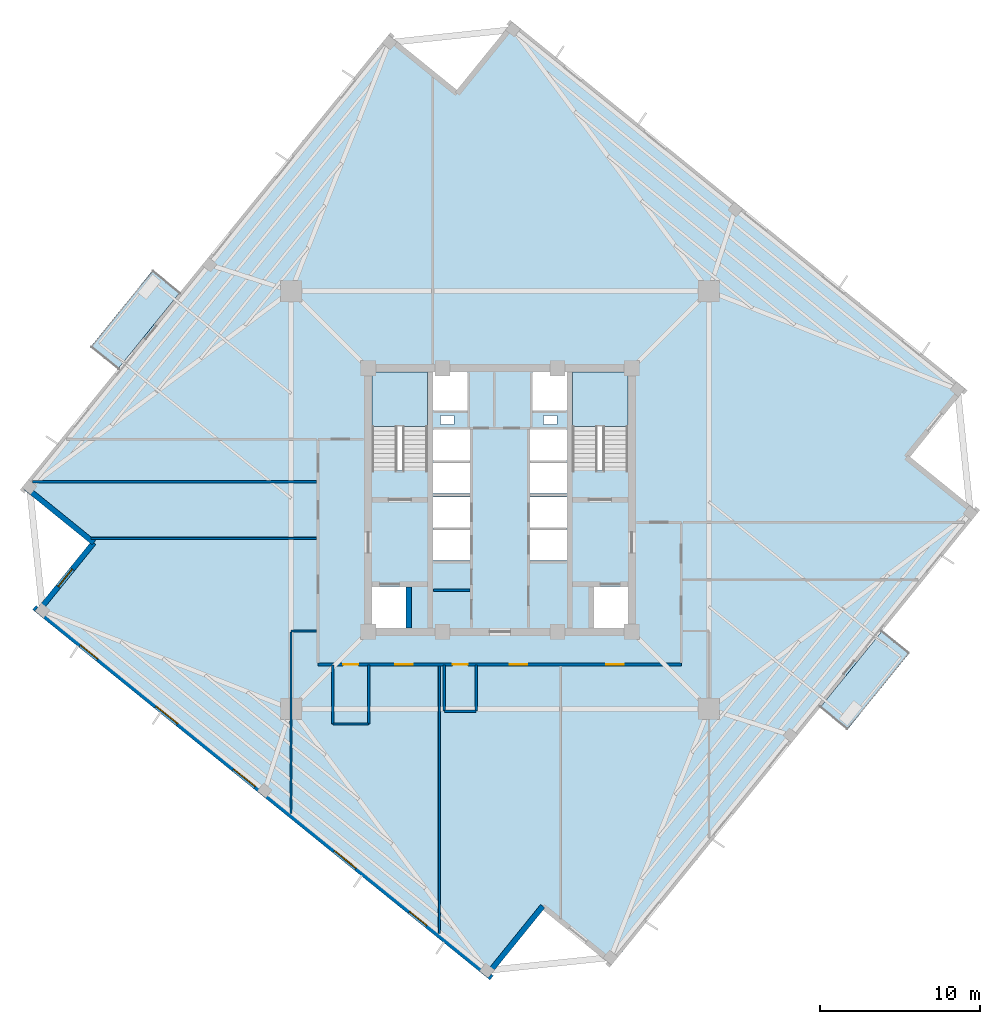
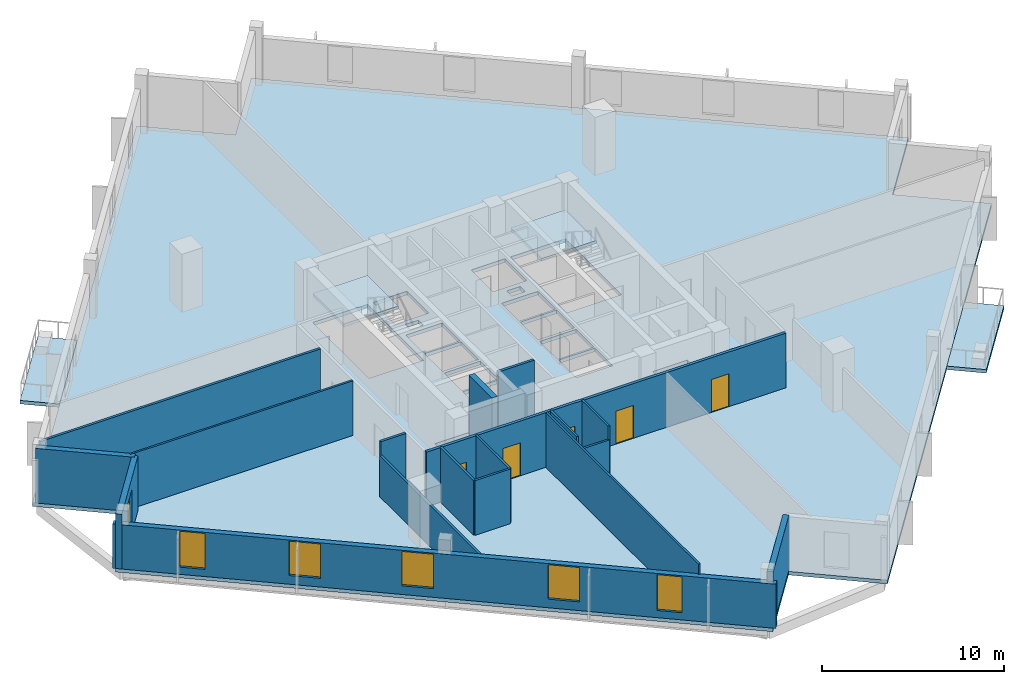
# One storey, part 2 of 9: 18 walls, 6 windows, 5 doors, 5 slabs, 11 openings, 2 elements without a shape of their own.
"""IFC4 building model written with IfcOpenShell, lengths in metres."""

from ifc_helpers import new_model, si_unit, direction, frame, frame_2d, origin, place, context, subcontext, project, spatial, polyline, rectangle, outline, extrude, source, transform, mapped, material, layer, layer_set, type_object, element, fill, aggregate, save


model = new_model("IFC4")

# Units and contexts
model_context = context("Model", 3, precision=1e-05, world=origin(), true_north=direction((0.0, 1.0)))
body_context = subcontext(model_context, "Body", "Model", "MODEL_VIEW")
ifc_project = project(units=[si_unit("LENGTHUNIT", "METRE"), si_unit("AREAUNIT", "SQUARE_METRE"), si_unit("VOLUMEUNIT", "CUBIC_METRE"), si_unit("PLANEANGLEUNIT", "RADIAN"), si_unit("MASSUNIT", "GRAM", prefix="KILO"), si_unit("THERMODYNAMICTEMPERATUREUNIT", "KELVIN")], contexts=[model_context])

# Site, building, storey
site_placement = place(None, origin())
site = spatial("IfcSite", under=ifc_project, at=site_placement, CompositionType="ELEMENT")
building_placement = place(site_placement, origin())
building = spatial("IfcBuilding", under=site, at=building_placement, Name="Kosmvard Interchange Tower", CompositionType="ELEMENT")
storey_placement = place(building_placement, frame((0.0, 0.0, 221.199951171875)))
storey = spatial("IfcBuildingStorey", under=building, at=storey_placement, Name="L53", CompositionType="ELEMENT", Elevation=221.199951171875)

# Slab
ifc_material_1 = material(Name="Concrete C50/60", Category="concrete")
ifc_layer_1 = layer(ifc_material_1, 0.239990234375, Name="Concrete C50/60")
ifc_layer_set_1 = layer_set([ifc_layer_1], Name="Concrete C50/60")
slab_type_1 = type_object("IfcSlabType", Name="High-Rise Suite Composite Slab 240 C50/60", PredefinedType="FLOOR", material=ifc_layer_set_1)
slab_1_placement = place(storey_placement, frame((0.0, 0.0, -0.239990234375)))
element("IfcSlab", 1, at=slab_1_placement, inside=storey, type_object=slab_type_1, Name="L53 Structural Floor Slab", PredefinedType="FLOOR", context=body_context, shape_type="SweptSolid", body=[
    extrude(outline(polyline([(6.97216796875, -29.12939453125), (29.9423828125, -0.763427734375), (25.66796875, 2.69775390625), (29.12939453125, 6.97216796875), (0.763427734375, 29.9423828125), (-2.69775390625, 25.66796875), (-6.97216796875, 29.12939453125), (-29.9423828125, 0.763427734375), (-25.66796875, -2.69775390625), (-29.12939453125, -6.97216796875), (-0.763427734375, -29.9423828125), (2.69775390625, -25.66796875), (6.97216796875, -29.12939453125)]), holes=[polyline([(-8.0, 1.8349609375), (-4.5400390625, 1.8349609375), (-4.5400390625, 8.0), (-8.0, 8.0), (-8.0, 1.8349609375)]), polyline([(4.5400390625, 1.8349609375), (8.0, 1.8349609375), (8.0, 8.0), (4.5400390625, 8.0), (4.5400390625, 1.8349609375)]), polyline([(-8.0, -8.0), (-5.800048828125, -8.0), (-5.800048828125, -5.39990234375), (-8.0, -5.39990234375), (-8.0, -8.0)]), polyline([(5.800048828125, -8.0), (8.0, -8.0), (8.0, -5.39990234375), (5.800048828125, -5.39990234375), (5.800048828125, -8.0)]), polyline([(-4.179931640625, -3.800048828125), (-1.8798828125, -3.800048828125), (-1.8798828125, -1.860107421875), (-4.179931640625, -1.860107421875), (-4.179931640625, -3.800048828125)]), polyline([(-4.179931640625, -1.739990234375), (-1.8798828125, -1.739990234375), (-1.8798828125, 0.199951171875), (-4.179931640625, 0.199951171875), (-4.179931640625, -1.739990234375)]), polyline([(1.8798828125, -3.800048828125), (4.179931640625, -3.800048828125), (4.179931640625, -1.860107421875), (1.8798828125, -1.860107421875), (1.8798828125, -3.800048828125)]), polyline([(1.8798828125, -1.739990234375), (4.179931640625, -1.739990234375), (4.179931640625, 0.199951171875), (1.8798828125, 0.199951171875), (1.8798828125, -1.739990234375)]), polyline([(-4.179931640625, 0.39990234375), (-1.8798828125, 0.39990234375), (-1.8798828125, 2.340087890625), (-4.179931640625, 2.340087890625), (-4.179931640625, 0.39990234375)]), polyline([(-4.179931640625, 2.4599609375), (-1.8798828125, 2.4599609375), (-1.8798828125, 4.39990234375), (-4.179931640625, 4.39990234375), (-4.179931640625, 2.4599609375)]), polyline([(1.8798828125, 0.39990234375), (4.179931640625, 0.39990234375), (4.179931640625, 2.340087890625), (1.8798828125, 2.340087890625), (1.8798828125, 0.39990234375)]), polyline([(1.8798828125, 2.4599609375), (4.179931640625, 2.4599609375), (4.179931640625, 4.39990234375), (1.8798828125, 4.39990234375), (1.8798828125, 2.4599609375)]), polyline([(-4.179931640625, 5.60009765625), (-2.0400390625, 5.60009765625), (-2.0400390625, 8.0), (-4.179931640625, 8.0), (-4.179931640625, 5.60009765625)]), polyline([(2.0400390625, 5.60009765625), (4.179931640625, 5.60009765625), (4.179931640625, 8.0), (2.0400390625, 8.0), (2.0400390625, 5.60009765625)]), polyline([(-3.715087890625, 4.739990234375), (-2.864990234375, 4.739990234375), (-2.864990234375, 5.2900390625), (-3.715087890625, 5.2900390625), (-3.715087890625, 4.739990234375)]), polyline([(2.715087890625, 4.739990234375), (3.56494140625, 4.739990234375), (3.56494140625, 5.2900390625), (2.715087890625, 5.2900390625), (2.715087890625, 4.739990234375)])]), origin(), (0.0, 0.0, 1.0), 0.239990234375),
])

# Stair, slab
stair_type = type_object("IfcStairType", Name="Dog-Leg Core Exit Stair H3900 C50/60", PredefinedType="HALF_TURN_STAIR", material=ifc_material_1)
stair_1_placement = place(storey_placement, origin())
stair_1 = element("IfcStair", 2, at=stair_1_placement, inside=storey, type_object=stair_type, Name="L53 Protected Exit Stair ST-1", PredefinedType="HALF_TURN_STAIR")
ifc_layer_2 = layer(ifc_material_1, 0.199951171875, Name="Concrete C50/60")
ifc_layer_set_2 = layer_set([ifc_layer_2], Name="Concrete C50/60")
slab_type_2 = type_object("IfcSlabType", Name="Stair Half-Landing Slab 200 C50/60", PredefinedType="LANDING", material=ifc_layer_set_2)
slab_2_placement = place(storey_placement, frame((0.0, 0.0, 1.75)))
slab_2 = element("IfcSlab", 3, at=slab_2_placement, type_object=slab_type_2, Name="ST-1 landing 1", PredefinedType="LANDING", context=body_context, shape_type="SweptSolid", body=[
    extrude(outline(polyline([(-4.5400390625, 4.60009765625), (-4.5400390625, 8.0), (-8.0, 8.0), (-8.0, 4.60009765625), (-4.5400390625, 4.60009765625)])), origin(), (0.0, 0.0, 1.0), 0.199951171875),
])
aggregate(stair_1, [slab_2])

stair_2_placement = place(storey_placement, origin())
stair_2 = element("IfcStair", 4, at=stair_2_placement, inside=storey, type_object=stair_type, Name="L53 Protected Exit Stair ST-2", PredefinedType="HALF_TURN_STAIR")
slab_3_placement = place(storey_placement, frame((0.0, 0.0, 1.75)))
slab_3 = element("IfcSlab", 5, at=slab_3_placement, type_object=slab_type_2, Name="ST-2 landing 1", PredefinedType="LANDING", context=body_context, shape_type="SweptSolid", body=[
    extrude(outline(polyline([(8.0, 4.60009765625), (8.0, 8.0), (4.5400390625, 8.0), (4.5400390625, 4.60009765625), (8.0, 4.60009765625)])), origin(), (0.0, 0.0, 1.0), 0.199951171875),
])
aggregate(stair_2, [slab_3])

# Slabs
ifc_layer_3 = layer(ifc_material_1, 0.22998046875, Name="Concrete C50/60")
ifc_layer_set_3 = layer_set([ifc_layer_3], Name="Concrete C50/60")
slab_type_3 = type_object("IfcSlabType", Name="Tree-Planter Cantilever Balcony Slab 230 C50/60", PredefinedType="FLOOR", material=ifc_layer_set_3)
slab_4_placement = place(storey_placement, frame((0.0, 0.0, -0.22998046875)))
element("IfcSlab", 6, at=slab_4_placement, inside=storey, type_object=slab_type_3, Name="L53 Outdoor Terrace Balcony Slab BAL-L53-NE", PredefinedType="FLOOR", context=body_context, shape_type="SweptSolid", body=[
    extrude(outline(polyline([(-23.932373046875, 8.185302734375), (-20.030517578125, 13.00341796875), (-21.740234375, 14.387939453125), (-25.64208984375, 9.569580078125), (-23.932373046875, 8.185302734375)])), origin(), (0.0, 0.0, 1.0), 0.22998046875),
])
slab_5_placement = place(storey_placement, frame((0.0, 0.0, -0.22998046875)))
element("IfcSlab", 7, at=slab_5_placement, inside=storey, type_object=slab_type_3, Name="L53 Outdoor Terrace Balcony Slab BAL-L53-SW", PredefinedType="FLOOR", context=body_context, shape_type="SweptSolid", body=[
    extrude(outline(polyline([(21.740234375, -14.387939453125), (25.64208984375, -9.569580078125), (23.932373046875, -8.185302734375), (20.030517578125, -13.00341796875), (21.740234375, -14.387939453125)])), origin(), (0.0, 0.0, 1.0), 0.22998046875),
])

# Walls
ifc_material_2 = material(Name="Acoustic gypsum partition system")
ifc_layer_4 = layer(ifc_material_2, 0.14990234375, Name="Acoustic gypsum partition system")
ifc_layer_set_4 = layer_set([ifc_layer_4], Name="Acoustic gypsum partition system")
wall_type_1 = type_object("IfcWallType", Name="Acoustic Suite & Meeting Partition 150", PredefinedType="PARTITIONING", material=ifc_layer_set_4)
wall_1_placement = place(storey_placement, frame((-29.275390625, 1.14990234375, 0.0), z_axis=(0.0, 0.0, 1.0), x_axis=(1.0, 0.0, 0.0)))
element("IfcWall", 8, at=wall_1_placement, inside=storey, type_object=wall_type_1, Name="L53 Room Partition 02.1", PredefinedType="PARTITIONING", context=body_context, shape_type="SweptSolid", body=[
    extrude(rectangle(XDim=17.7802734375, YDim=0.14990234375, at=frame_2d((8.89013671875, 0.0))), origin(), (0.0, 0.0, 1.0), 3.66015625),
])
wall_2_placement = place(storey_placement, frame((-11.4951171875, -8.199951171875, 0.0), z_axis=(0.0, 0.0, 1.0), x_axis=(-1.0, 0.0, 0.0)))
element("IfcWall", 9, at=wall_2_placement, inside=storey, type_object=wall_type_1, Name="L53 Room Partition 05.1", PredefinedType="PARTITIONING", context=body_context, shape_type="SweptSolid", body=[
    extrude(rectangle(XDim=1.5859375, YDim=0.14990234375, at=frame_2d((0.79296875, 0.0))), origin(), (0.0, 0.0, 1.0), 3.66015625),
])
wall_3_placement = place(storey_placement, frame((-13.0810546875, -8.27490234375, 0.0), z_axis=(0.0, 0.0, 1.0), x_axis=(0.0, -1.0, 0.0)))
element("IfcWall", 10, at=wall_3_placement, inside=storey, type_object=wall_type_1, Name="L53 Room Partition 06.1", PredefinedType="PARTITIONING", context=body_context, shape_type="SweptSolid", body=[
    extrude(rectangle(XDim=11.339111328125, YDim=0.14990234375, at=frame_2d((5.66943359375, 0.0))), origin(), (0.0, 0.0, 1.0), 2.760009765625),
])
ifc_material_3 = material(Name="Fire-rated gypsum partition system")
ifc_layer_5 = layer(ifc_material_3, 0.159912109375, Name="Fire-rated gypsum partition system")
ifc_layer_set_5 = layer_set([ifc_layer_5], Name="Fire-rated gypsum partition system")
wall_type_2 = type_object("IfcWallType", Name="Core Compartment & Shuttle Lobby Partition 160", PredefinedType="PARTITIONING", material=ifc_layer_set_5)
wall_4_placement = place(storey_placement, frame((-4.169921875, -5.64990234375, 0.0), z_axis=(0.0, 0.0, 1.0), x_axis=(1.0, 0.0, 0.0)))
element("IfcWall", 11, at=wall_4_placement, inside=storey, type_object=wall_type_2, Name="L53 Reclaimed Split W", PredefinedType="PARTITIONING", context=body_context, shape_type="SweptSolid", body=[
    extrude(rectangle(XDim=2.280029296875, YDim=0.159912109375, at=frame_2d((1.14013671875, 0.0))), origin(), (0.0, 0.0, 1.0), 3.66015625),
])

# Wall, openings, doors
ifc_layer_6 = layer(ifc_material_3, 0.179931640625, Name="Fire-rated gypsum partition system")
ifc_layer_set_6 = layer_set([ifc_layer_6], Name="Fire-rated gypsum partition system")
wall_type_3 = type_object("IfcWallType", Name="Corridor & Hotel Compartment Partition 180", PredefinedType="PARTITIONING", material=ifc_layer_set_6)
wall_5_placement = place(storey_placement, frame((-11.39990234375, -10.300048828125, 0.0), z_axis=(0.0, 0.0, 1.0), x_axis=(1.0, 0.0, 0.0)))
wall_5 = element("IfcWall", 12, at=wall_5_placement, inside=storey, type_object=wall_type_3, Name="L53 Corridor Wall CS", PredefinedType="PARTITIONING", context=body_context, shape_type="SweptSolid", body=[
    extrude(rectangle(XDim=22.75, YDim=0.179931640625, at=frame_2d((11.375, 0.0))), origin(), (0.0, 0.0, 1.0), 3.66015625),
])
opening_1_placement = place(wall_5_placement, frame((8.43603515625, 0.0, 0.0)))
opening_1 = element("IfcOpeningElement", 13, at=opening_1_placement, cuts=wall_5, Name="Opening L53-D01", PredefinedType="OPENING", context=body_context, shape_type="SweptSolid", body=[
    extrude(rectangle(XDim=0.949951171875, YDim=2.10009765625, at=frame_2d((0.47509765625, 1.050048828125))), frame((0.0, 0.10009765625, 0.0), z_axis=(0.0, -1.0, 0.0), x_axis=(1.0, 0.0, 0.0)), (0.0, 0.0, 1.0), 0.199951171875),
])
opening_2_placement = place(wall_5_placement, frame((1.580078125, 0.0, 0.0)))
opening_2 = element("IfcOpeningElement", 14, at=opening_2_placement, cuts=wall_5, Name="Opening L53-D02", PredefinedType="OPENING", context=body_context, shape_type="SweptSolid", body=[
    extrude(rectangle(XDim=0.949951171875, YDim=2.10009765625, at=frame_2d((0.47509765625, 1.050048828125))), frame((0.0, 0.10009765625, 0.0), z_axis=(0.0, -1.0, 0.0), x_axis=(1.0, 0.0, 0.0)), (0.0, 0.0, 1.0), 0.199951171875),
])
opening_3_placement = place(wall_5_placement, frame((4.833984375, 0.0, 0.0)))
opening_3 = element("IfcOpeningElement", 15, at=opening_3_placement, cuts=wall_5, Name="Opening L53-D08", PredefinedType="OPENING", context=body_context, shape_type="SweptSolid", body=[
    extrude(rectangle(XDim=1.10009765625, YDim=2.199951171875, at=frame_2d((0.550048828125, 1.10009765625))), frame((0.0, 0.10009765625, 0.0), z_axis=(0.0, -1.0, 0.0), x_axis=(1.0, 0.0, 0.0)), (0.0, 0.0, 1.0), 0.199951171875),
])
opening_4_placement = place(wall_5_placement, frame((11.99951171875, 0.0, 0.0)))
opening_4 = element("IfcOpeningElement", 16, at=opening_4_placement, cuts=wall_5, Name="Opening L53-D09", PredefinedType="OPENING", context=body_context, shape_type="SweptSolid", body=[
    extrude(rectangle(XDim=1.10009765625, YDim=2.199951171875, at=frame_2d((0.550048828125, 1.10009765625))), frame((0.0, 0.10009765625, 0.0), z_axis=(0.0, -1.0, 0.0), x_axis=(1.0, 0.0, 0.0)), (0.0, 0.0, 1.0), 0.199951171875),
])
opening_5_placement = place(wall_5_placement, frame((18.04052734375, 0.0, 0.0)))
opening_5 = element("IfcOpeningElement", 17, at=opening_5_placement, cuts=wall_5, Name="Opening L53-D10", PredefinedType="OPENING", context=body_context, shape_type="SweptSolid", body=[
    extrude(rectangle(XDim=1.10009765625, YDim=2.199951171875, at=frame_2d((0.550048828125, 1.10009765625))), frame((0.0, 0.10009765625, 0.0), z_axis=(0.0, -1.0, 0.0), x_axis=(1.0, 0.0, 0.0)), (0.0, 0.0, 1.0), 0.199951171875),
])
ifc_material_4 = material(Name="Laminated moisture-resistant timber", Category="wood")
door_type_1 = type_object("IfcDoorType", Name="Accessible Washroom Door 950x2100", OperationType="NOTDEFINED", PredefinedType="DOOR", material=ifc_material_4)
shared_shape_1 = source(origin(), body_context, "Body", "SweptSolid", [
    extrude(rectangle(XDim=0.949951171875, YDim=2.10009765625, at=frame_2d((0.47509765625, 1.050048828125))), frame((0.0, 0.02490234375, 0.0), z_axis=(0.0, -1.0, 0.0), x_axis=(1.0, 0.0, 0.0)), (0.0, 0.0, 1.0), 0.050048828125),
])
door_1_placement = place(opening_1_placement, frame((0.949951171875, 0.0, 0.0), z_axis=(0.0, 0.0, 1.0), x_axis=(-1.0, 0.0, 0.0)))
door_1 = element("IfcDoor", 18, at=door_1_placement, inside=storey, type_object=door_type_1, Name="L53 Accessible Toilet Door", OperationType="SINGLE_SWING_LEFT", OverallHeight=2.10009765625, OverallWidth=0.949951171875, PredefinedType="DOOR", context=body_context, shape_type="MappedRepresentation", body=[
    mapped(shared_shape_1, transform((0.0, 0.0, 0.0), scale=1.0)),
])
fill(opening_1, door_1)
door_2_placement = place(opening_2_placement, frame((0.949951171875, 0.0, 0.0), z_axis=(0.0, 0.0, 1.0), x_axis=(-1.0, 0.0, 0.0)))
door_2 = element("IfcDoor", 19, at=door_2_placement, inside=storey, type_object=door_type_1, Name="L53 Public Floor Washroom Door", OperationType="SINGLE_SWING_RIGHT", OverallHeight=2.10009765625, OverallWidth=0.949951171875, PredefinedType="DOOR", context=body_context, shape_type="MappedRepresentation", body=[
    mapped(shared_shape_1, transform((0.0, 0.0, 0.0), scale=1.0)),
])
fill(opening_2, door_2)
ifc_material_5 = material(Name="Engineered oak fire-rated timber", Category="wood")
door_type_2 = type_object("IfcDoorType", Name="Office Suite Entrance Door 1100x2200 FD30S", OperationType="NOTDEFINED", PredefinedType="DOOR", material=ifc_material_5)
shared_shape_2 = source(origin(), body_context, "Body", "SweptSolid", [
    extrude(rectangle(XDim=1.10009765625, YDim=2.199951171875, at=frame_2d((0.550048828125, 1.10009765625))), frame((0.0, 0.02490234375, 0.0), z_axis=(0.0, -1.0, 0.0), x_axis=(1.0, 0.0, 0.0)), (0.0, 0.0, 1.0), 0.050048828125),
])
door_3_placement = place(opening_3_placement, frame((1.10009765625, 0.0, 0.0), z_axis=(0.0, 0.0, 1.0), x_axis=(-1.0, 0.0, 0.0)))
door_3 = element("IfcDoor", 20, at=door_3_placement, inside=storey, type_object=door_type_2, Name="L53 Members Concierge Reception Door", OperationType="SINGLE_SWING_RIGHT", OverallHeight=2.199951171875, OverallWidth=1.10009765625, PredefinedType="DOOR", context=body_context, shape_type="MappedRepresentation", body=[
    mapped(shared_shape_2, transform((0.0, 0.0, 0.0), scale=1.0)),
])
fill(opening_3, door_3)
door_4_placement = place(opening_4_placement, frame((1.10009765625, 0.0, 0.0), z_axis=(0.0, 0.0, 1.0), x_axis=(-1.0, 0.0, 0.0)))
door_4 = element("IfcDoor", 21, at=door_4_placement, inside=storey, type_object=door_type_2, Name="L53 Private Executive Dining Room Door", OperationType="SINGLE_SWING_LEFT", OverallHeight=2.199951171875, OverallWidth=1.10009765625, PredefinedType="DOOR", context=body_context, shape_type="MappedRepresentation", body=[
    mapped(shared_shape_2, transform((0.0, 0.0, 0.0), scale=1.0)),
])
fill(opening_4, door_4)
door_5_placement = place(opening_5_placement, frame((1.10009765625, 0.0, 0.0), z_axis=(0.0, 0.0, 1.0), x_axis=(-1.0, 0.0, 0.0)))
door_5 = element("IfcDoor", 22, at=door_5_placement, inside=storey, type_object=door_type_2, Name="L53 South Cigar and Tea Lounge Door", OperationType="SINGLE_SWING_RIGHT", OverallHeight=2.199951171875, OverallWidth=1.10009765625, PredefinedType="DOOR", context=body_context, shape_type="MappedRepresentation", body=[
    mapped(shared_shape_2, transform((0.0, 0.0, 0.0), scale=1.0)),
])
fill(opening_5, door_5)

# Wall
ifc_material_6 = material(Name="Precast concrete C45/55", Category="concrete")
ifc_layer_7 = layer(ifc_material_6, 0.340087890625, Name="Precast concrete C45/55")
ifc_layer_set_7 = layer_set([ifc_layer_7], Name="Precast concrete C45/55")
wall_type_4 = type_object("IfcWallType", Name="Mid Tower Precast Pier Wall 340 C45/55", PredefinedType="STANDARD", material=ifc_layer_set_7)
wall_6_placement = place(storey_placement, frame((-29.703125, 0.78857421875, 0.0), z_axis=(0.0, 0.0, 1.0), x_axis=(0.77714355312, -0.629323365087, 0.0)))
element("IfcWall", 23, at=wall_6_placement, inside=storey, type_object=wall_type_4, Name="L53 Precast Facade Wall N-NW1", PredefinedType="STANDARD", context=body_context, shape_type="SweptSolid", body=[
    extrude(rectangle(XDim=5.499755859375, YDim=0.340087890625, at=frame_2d((2.75, 0.0))), origin(), (0.0, 0.0, 1.0), 3.66015625),
])

# Wall, opening, window
wall_7_placement = place(storey_placement, frame((-25.428955078125, -2.672607421875, 0.0), z_axis=(0.0, 0.0, 1.0), x_axis=(-0.629299794138, -0.777162640055, 0.0)))
wall_7 = element("IfcWall", 24, at=wall_7_placement, inside=storey, type_object=wall_type_4, Name="L53 Precast Facade Wall N-NW2", PredefinedType="STANDARD", context=body_context, shape_type="SweptSolid", body=[
    extrude(rectangle(XDim=5.669921875, YDim=0.340087890625, at=frame_2d((2.8349609375, 0.0))), origin(), (0.0, 0.0, 1.0), 3.66015625),
])
opening_6_placement = place(wall_7_placement, frame((2.135009765625, 0.0, 0.47998046875)))
opening_6 = element("IfcOpeningElement", 25, at=opening_6_placement, cuts=wall_7, Name="Opening L53-W22", PredefinedType="OPENING", context=body_context, shape_type="SweptSolid", body=[
    extrude(rectangle(XDim=1.39990234375, YDim=2.39990234375, at=frame_2d((0.699951171875, 1.199951171875))), frame((0.0, 0.18017578125, 0.0), z_axis=(0.0, -1.0, 0.0), x_axis=(1.0, 0.0, 0.0)), (0.0, 0.0, 1.0), 0.360107421875),
])
ifc_material_7 = material(Name="Low-E solar-control double glazing", Category="glass")
window_type_1 = type_object("IfcWindowType", Name="Notched Corner Feature Window 1400x2400", PartitioningType="SINGLE_PANEL", PredefinedType="WINDOW", material=ifc_material_7)
shared_shape_3 = source(origin(), body_context, "Body", "SweptSolid", [
    extrude(rectangle(XDim=1.39990234375, YDim=2.39990234375, at=frame_2d((0.699951171875, 1.199951171875))), frame((0.0, 0.030029296875, 0.0), z_axis=(0.0, -1.0, 0.0), x_axis=(1.0, 0.0, 0.0)), (0.0, 0.0, 1.0), 0.06005859375),
])
window_1_placement = place(opening_6_placement, origin())
window_1 = element("IfcWindow", 26, at=window_1_placement, inside=storey, type_object=window_type_1, Name="L53 Corner Notch Window 22", OverallHeight=2.39990234375, OverallWidth=1.39990234375, PartitioningType="SINGLE_PANEL", PredefinedType="WINDOW", context=body_context, shape_type="MappedRepresentation", body=[
    mapped(shared_shape_3, transform((0.0, 0.0, 0.0), scale=1.0)),
])
fill(opening_6, window_1)

# Wall, openings, windows
wall_8_placement = place(storey_placement, frame((-29.154296875, -6.73291015625, 0.0), z_axis=(0.0, 0.0, 1.0), x_axis=(0.77714192302, -0.629325378072, 0.0)))
wall_8 = element("IfcWall", 27, at=wall_8_placement, inside=storey, type_object=wall_type_4, Name="L53 Precast Facade Wall F-W", PredefinedType="STANDARD", context=body_context, shape_type="SweptSolid", body=[
    extrude(rectangle(XDim=36.840087890625, YDim=0.340087890625, at=frame_2d((18.419921875, 0.0))), origin(), (0.0, 0.0, 1.0), 2.9599609375),
])
opening_7_placement = place(wall_8_placement, frame((3.720703125, 0.0, 0.47998046875)))
opening_7 = element("IfcOpeningElement", 28, at=opening_7_placement, cuts=wall_8, Name="Opening L53-W16", PredefinedType="OPENING", context=body_context, shape_type="SweptSolid", body=[
    extrude(rectangle(XDim=1.39990234375, YDim=2.39990234375, at=frame_2d((0.699951171875, 1.199951171875))), frame((0.0, 0.18017578125, 0.0), z_axis=(0.0, -1.0, 0.0), x_axis=(1.0, 0.0, 0.0)), (0.0, 0.0, 1.0), 0.360107421875),
])
opening_8_placement = place(wall_8_placement, frame((9.80859375, 0.0, 0.580078125)))
opening_8 = element("IfcOpeningElement", 29, at=opening_8_placement, cuts=wall_8, Name="Opening L53-W17", PredefinedType="OPENING", context=body_context, shape_type="SweptSolid", body=[
    extrude(rectangle(XDim=1.75, YDim=2.300048828125, at=frame_2d((0.875, 1.14990234375))), frame((0.0, 0.18017578125, 0.0), z_axis=(0.0, -1.0, 0.0), x_axis=(1.0, 0.0, 0.0)), (0.0, 0.0, 1.0), 0.360107421875),
])
opening_9_placement = place(wall_8_placement, frame((16.05810546875, 0.0, 0.580078125)))
opening_9 = element("IfcOpeningElement", 30, at=opening_9_placement, cuts=wall_8, Name="Opening L53-W18", PredefinedType="OPENING", context=body_context, shape_type="SweptSolid", body=[
    extrude(rectangle(XDim=1.75, YDim=2.300048828125, at=frame_2d((0.875, 1.14990234375))), frame((0.0, 0.18017578125, 0.0), z_axis=(0.0, -1.0, 0.0), x_axis=(1.0, 0.0, 0.0)), (0.0, 0.0, 1.0), 0.360107421875),
])
opening_10_placement = place(wall_8_placement, frame((24.17626953125, 0.0, 0.580078125)))
opening_10 = element("IfcOpeningElement", 31, at=opening_10_placement, cuts=wall_8, Name="Opening L53-W19", PredefinedType="OPENING", context=body_context, shape_type="SweptSolid", body=[
    extrude(rectangle(XDim=1.75, YDim=2.300048828125, at=frame_2d((0.875, 1.14990234375))), frame((0.0, 0.18017578125, 0.0), z_axis=(0.0, -1.0, 0.0), x_axis=(1.0, 0.0, 0.0)), (0.0, 0.0, 1.0), 0.360107421875),
])
opening_11_placement = place(wall_8_placement, frame((30.232421875, 0.0, 0.47998046875)))
opening_11 = element("IfcOpeningElement", 32, at=opening_11_placement, cuts=wall_8, Name="Opening L53-W20", PredefinedType="OPENING", context=body_context, shape_type="SweptSolid", body=[
    extrude(rectangle(XDim=1.39990234375, YDim=2.39990234375, at=frame_2d((0.699951171875, 1.199951171875))), frame((0.0, 0.18017578125, 0.0), z_axis=(0.0, -1.0, 0.0), x_axis=(1.0, 0.0, 0.0)), (0.0, 0.0, 1.0), 0.360107421875),
])
window_2_placement = place(opening_7_placement, origin())
window_2 = element("IfcWindow", 33, at=window_2_placement, inside=storey, type_object=window_type_1, Name="L53 Facade Punched Window 16", OverallHeight=2.39990234375, OverallWidth=1.39990234375, PartitioningType="SINGLE_PANEL", PredefinedType="WINDOW", context=body_context, shape_type="MappedRepresentation", body=[
    mapped(shared_shape_3, transform((0.0, 0.0, 0.0), scale=1.0)),
])
fill(opening_7, window_2)
window_3_placement = place(opening_11_placement, origin())
window_3 = element("IfcWindow", 34, at=window_3_placement, inside=storey, type_object=window_type_1, Name="L53 Facade Punched Window 20", OverallHeight=2.39990234375, OverallWidth=1.39990234375, PartitioningType="SINGLE_PANEL", PredefinedType="WINDOW", context=body_context, shape_type="MappedRepresentation", body=[
    mapped(shared_shape_3, transform((0.0, 0.0, 0.0), scale=1.0)),
])
fill(opening_11, window_3)
window_type_2 = type_object("IfcWindowType", Name="Zone 4 Suite Punched Window 1750x2300", PartitioningType="SINGLE_PANEL", PredefinedType="WINDOW", material=ifc_material_7)
shared_shape_4 = source(origin(), body_context, "Body", "SweptSolid", [
    extrude(rectangle(XDim=1.75, YDim=2.300048828125, at=frame_2d((0.875, 1.14990234375))), frame((0.0, 0.030029296875, 0.0), z_axis=(0.0, -1.0, 0.0), x_axis=(1.0, 0.0, 0.0)), (0.0, 0.0, 1.0), 0.06005859375),
])
window_4_placement = place(opening_8_placement, origin())
window_4 = element("IfcWindow", 35, at=window_4_placement, inside=storey, type_object=window_type_2, Name="L53 Facade Punched Window 17", OverallHeight=2.300048828125, OverallWidth=1.75, PartitioningType="SINGLE_PANEL", PredefinedType="WINDOW", context=body_context, shape_type="MappedRepresentation", body=[
    mapped(shared_shape_4, transform((0.0, 0.0, 0.0), scale=1.0)),
])
fill(opening_8, window_4)
window_5_placement = place(opening_9_placement, origin())
window_5 = element("IfcWindow", 36, at=window_5_placement, inside=storey, type_object=window_type_2, Name="L53 Facade Punched Window 18", OverallHeight=2.300048828125, OverallWidth=1.75, PartitioningType="SINGLE_PANEL", PredefinedType="WINDOW", context=body_context, shape_type="MappedRepresentation", body=[
    mapped(shared_shape_4, transform((0.0, 0.0, 0.0), scale=1.0)),
])
fill(opening_9, window_5)
window_6_placement = place(opening_10_placement, origin())
window_6 = element("IfcWindow", 37, at=window_6_placement, inside=storey, type_object=window_type_2, Name="L53 Facade Punched Window 19", OverallHeight=2.300048828125, OverallWidth=1.75, PartitioningType="SINGLE_PANEL", PredefinedType="WINDOW", context=body_context, shape_type="MappedRepresentation", body=[
    mapped(shared_shape_4, transform((0.0, 0.0, 0.0), scale=1.0)),
])
fill(opening_10, window_6)

# Walls
wall_9_placement = place(storey_placement, frame((-0.78857421875, -29.703125, 0.0), z_axis=(0.0, 0.0, 1.0), x_axis=(0.629323365087, 0.77714355312, 0.0)))
element("IfcWall", 38, at=wall_9_placement, inside=storey, type_object=wall_type_4, Name="L53 Precast Facade Wall N-SW1", PredefinedType="STANDARD", context=body_context, shape_type="SweptSolid", body=[
    extrude(rectangle(XDim=5.499755859375, YDim=0.340087890625, at=frame_2d((2.75, 0.0))), origin(), (0.0, 0.0, 1.0), 3.66015625),
])
ifc_material_8 = material(Name="Gypsum board partition system")
ifc_layer_8 = layer(ifc_material_8, 0.1201171875, Name="Gypsum board partition system")
ifc_layer_set_8 = layer_set([ifc_layer_8], Name="Gypsum board partition system")
wall_type_5 = type_object("IfcWallType", Name="Office Cellular Partition 120", PredefinedType="PARTITIONING", material=ifc_layer_set_8)
wall_10_placement = place(storey_placement, frame((-25.598876953125, -2.39990234375, 0.0), z_axis=(0.0, 0.0, 1.0), x_axis=(1.0, 0.0, 0.0)))
element("IfcWall", 39, at=wall_10_placement, inside=storey, type_object=wall_type_5, Name="L53 Room Partition 07.1", PredefinedType="PARTITIONING", context=body_context, shape_type="SweptSolid", body=[
    extrude(rectangle(XDim=14.103759765625, YDim=0.1201171875, at=frame_2d((7.0517578125, 0.0))), origin(), (0.0, 0.0, 1.0), 3.66015625),
])
wall_11_placement = place(storey_placement, frame((-3.800048828125, -27.12939453125, 0.0), z_axis=(0.0, 0.0, 1.0), x_axis=(0.0, 1.0, 0.0)))
element("IfcWall", 40, at=wall_11_placement, inside=storey, type_object=wall_type_5, Name="L53 Room Partition 08.1", PredefinedType="PARTITIONING", context=body_context, shape_type="SweptSolid", body=[
    extrude(rectangle(XDim=16.734375, YDim=0.1201171875, at=frame_2d((8.3671875, 0.0))), origin(), (0.0, 0.0, 1.0), 3.66015625),
])
ifc_material_9 = material(Name="Concrete C60/75", Category="concrete")
ifc_layer_9 = layer(ifc_material_9, 0.360107421875, Name="Concrete C60/75")
ifc_layer_set_9 = layer_set([ifc_layer_9], Name="Concrete C60/75")
wall_type_6 = type_object("IfcWallType", Name="Stair & Lift Shaft Shear Wall 360 C60/75", PredefinedType="SHEAR", material=ifc_layer_set_9)
wall_12_placement = place(storey_placement, frame((-5.7099609375, -8.0, 0.0), z_axis=(0.0, 0.0, 1.0), x_axis=(0.0, 1.0, 0.0)))
element("IfcWall", 41, at=wall_12_placement, inside=storey, type_object=wall_type_6, Name="L53 Shaft Shear Wall SW-SM1", PredefinedType="SHEAR", context=body_context, shape_type="SweptSolid", body=[
    extrude(rectangle(XDim=2.5400390625, YDim=0.360107421875, at=frame_2d((1.27001953125, 0.0))), origin(), (0.0, 0.0, 1.0), 3.900146484375),
])
ifc_material_10 = material(Name="Moisture-resistant gypsum partition")
ifc_layer_10 = layer(ifc_material_10, 0.135009765625, Name="Moisture-resistant gypsum partition")
ifc_layer_set_10 = layer_set([ifc_layer_10], Name="Moisture-resistant gypsum partition")
wall_type_7 = type_object("IfcWallType", Name="Wet Room Moisture-Resistant Partition 135", PredefinedType="PARTITIONING", material=ifc_layer_set_10)
wall_13_placement = place(storey_placement, frame((-3.489013671875, -13.219970703125, 0.0), z_axis=(0.0, 0.0, 1.0), x_axis=(1.0, 0.0, 0.0)))
element("IfcWall", 42, at=wall_13_placement, inside=storey, type_object=wall_type_7, Name="L53 Washroom Partition AWC1-S", PredefinedType="PARTITIONING", context=body_context, shape_type="SweptSolid", body=[
    extrude(rectangle(XDim=2.0, YDim=0.135009765625, at=frame_2d((1.0, 0.0))), origin(), (0.0, 0.0, 1.0), 2.760009765625),
])
for number, where, z_axis, x_axis, name in (
    (43, (-1.489013671875, -13.219970703125, 0.0), (0.0, 0.0, 1.0), (0.0, 1.0, 0.0), "L53 Washroom Partition AWC1-E"),
    (44, (-3.489013671875, -13.219970703125, 0.0), (0.0, 0.0, 1.0), (0.0, 1.0, 0.0), "L53 Washroom Partition AWC1-W"),
):
    element("IfcWall", number, at=place(storey_placement, frame(where, z_axis=z_axis, x_axis=x_axis)), inside=storey, type_object=wall_type_7, Name=name, PredefinedType="PARTITIONING", context=body_context, shape_type="SweptSolid", body=[
        extrude(rectangle(XDim=2.89990234375, YDim=0.135009765625, at=frame_2d((1.449951171875, 0.0))), origin(), (0.0, 0.0, 1.0), 3.66015625),
    ])
wall_14_placement = place(storey_placement, frame((-10.469970703125, -14.02001953125, 0.0), z_axis=(0.0, 0.0, 1.0), x_axis=(1.0, 0.0, 0.0)))
element("IfcWall", 45, at=wall_14_placement, inside=storey, type_object=wall_type_7, Name="L53 Washroom Partition WC1-S", PredefinedType="PARTITIONING", context=body_context, shape_type="SweptSolid", body=[
    extrude(rectangle(XDim=2.25, YDim=0.135009765625, at=frame_2d((1.125, 0.0))), origin(), (0.0, 0.0, 1.0), 3.66015625),
])
for number, where, z_axis, x_axis, name in (
    (46, (-8.219970703125, -14.02001953125, 0.0), (0.0, 0.0, 1.0), (0.0, 1.0, 0.0), "L53 Washroom Partition WC1-E"),
    (47, (-10.469970703125, -14.02001953125, 0.0), (0.0, 0.0, 1.0), (0.0, 1.0, 0.0), "L53 Washroom Partition WC1-W"),
):
    element("IfcWall", number, at=place(storey_placement, frame(where, z_axis=z_axis, x_axis=x_axis)), inside=storey, type_object=wall_type_7, Name=name, PredefinedType="PARTITIONING", context=body_context, shape_type="SweptSolid", body=[
        extrude(rectangle(XDim=3.699951171875, YDim=0.135009765625, at=frame_2d((1.85009765625, 0.0))), origin(), (0.0, 0.0, 1.0), 3.66015625),
    ])

save(model, "model.ifc")
